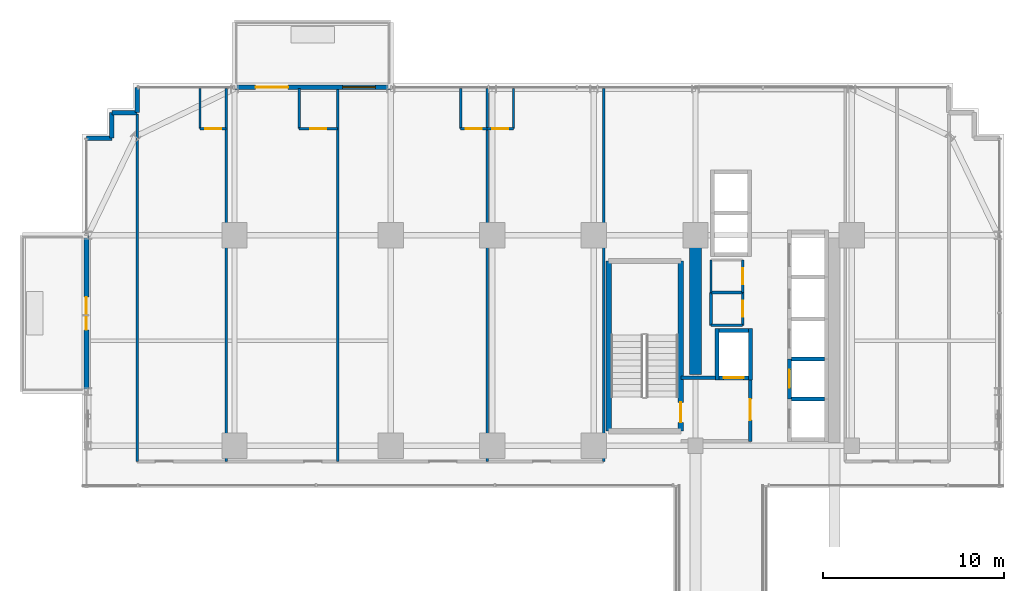
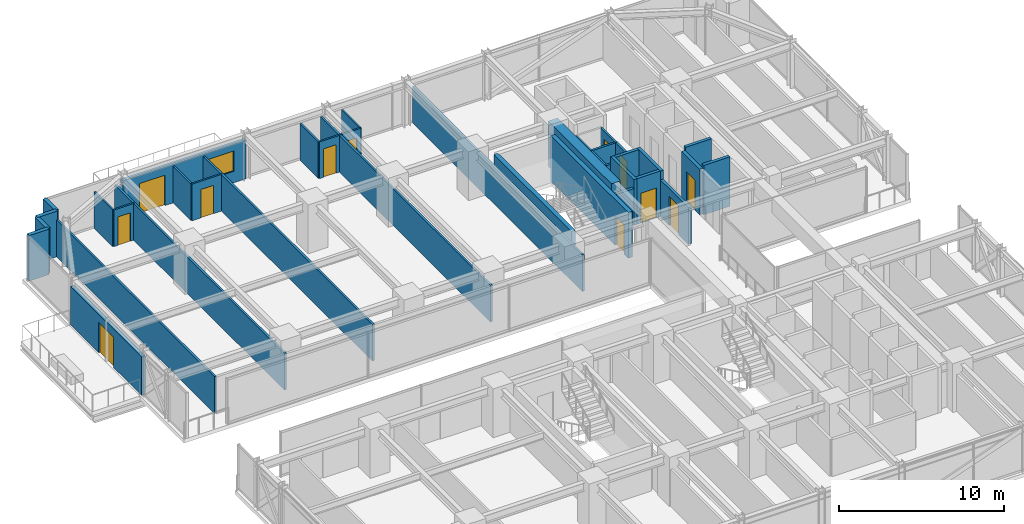
# One storey, part 37 of 42: 37 walls, 12 doors, 1 window, 13 openings.
"""IFC4 building model written with IfcOpenShell, lengths in metres."""

import ifcopenshell
import ifcopenshell.guid

model = None  # the IFC model being written
_history = None  # IfcOwnerHistory: only IFC2X3 demands one
_inside = {}  # id of a spatial element -> (the spatial element, [elements in it])
_under = {}  # id of a project, library or spatial element -> (it, [spatial elements below it])
_declared = {}  # id of a project -> (the project, [libraries it declares])
_typed = {}  # id of a type object -> (the type object, [elements of that type])
_made_of = {}  # id of a material, layer set ... -> (it, [elements and type objects made of it])


def new_model(schema):
    """Start an empty IFC model of exactly this schema.

    Asked for "IFC4X3", IfcOpenShell would pick the latest addendum, in which some entities
    have other attributes; the version numbers below select the first issue.
    IFC2X3 requires an IfcOwnerHistory on every rooted entity: one is made here for all.
    """
    global model, _history
    if schema == "IFC4X3":
        model = ifcopenshell.file(schema_version=(4, 3, 0, 0))
    else:
        model = ifcopenshell.file(schema=schema)
    _inside.clear()
    _under.clear()
    _declared.clear()
    _typed.clear()
    _made_of.clear()
    _history = None
    if model.schema == "IFC2X3":
        org = make("IfcOrganization", Name="unknown")
        user = make(
            "IfcPersonAndOrganization",
            ThePerson=make("IfcPerson", FamilyName="unknown"),
            TheOrganization=org,
        )
        app = make(
            "IfcApplication",
            ApplicationDeveloper=org,
            Version="unknown",
            ApplicationFullName="unknown",
            ApplicationIdentifier="unknown",
        )
        _history = make(
            "IfcOwnerHistory",
            OwningUser=user,
            OwningApplication=app,
            ChangeAction="ADDED",
            CreationDate=0,
        )
    return model


def make(cls, **values):
    """One entity of the class cls with the attributes given. An attribute that is None is left unset."""
    return model.create_entity(
        cls, **{name: value for name, value in values.items() if value is not None}
    )


def rooted(cls, **values):
    """An entity with a GlobalId (a new one), such as an element, a storey or a relation."""
    return make(cls, GlobalId=ifcopenshell.guid.new(), OwnerHistory=_history, **values)


def si_unit(unit_type, name, prefix=None):
    """IfcSIUnit, for example si_unit("LENGTHUNIT", "METRE", prefix="MILLI")."""
    return make("IfcSIUnit", UnitType=unit_type, Prefix=prefix, Name=name)


def assignment(units):
    """IfcUnitAssignment: the units of a project."""
    return None if units is None else make("IfcUnitAssignment", Units=units)


def point(xyz):
    """IfcCartesianPoint."""
    return None if xyz is None else make("IfcCartesianPoint", Coordinates=xyz)


def direction(xyz):
    """IfcDirection."""
    return None if xyz is None else make("IfcDirection", DirectionRatios=xyz)


def frame(location, z_axis=None, x_axis=None):
    """IfcAxis2Placement3D, a coordinate frame: its origin and axes. An axis left out is left unset."""
    return make(
        "IfcAxis2Placement3D",
        Location=point(location),
        Axis=direction(z_axis),
        RefDirection=direction(x_axis),
    )


def frame_2d(location, x_axis=None):
    """IfcAxis2Placement2D, a coordinate frame in the plane: its origin and x axis."""
    return make(
        "IfcAxis2Placement2D", Location=point(location), RefDirection=direction(x_axis)
    )


def origin():
    """The frame at (0, 0, 0) with its axes left unset."""
    return frame((0.0, 0.0, 0.0))


def place(relative_to, where):
    """IfcLocalPlacement: puts the frame where relative to a parent placement (None: the world)."""
    return make(
        "IfcLocalPlacement", PlacementRelTo=relative_to, RelativePlacement=where
    )


def context(
    kind, dimensions, precision=None, world=None, true_north=None, identifier=None
):
    """IfcGeometricRepresentationContext, for example the 3D "Model" context."""
    return make(
        "IfcGeometricRepresentationContext",
        ContextIdentifier=identifier,
        ContextType=kind,
        CoordinateSpaceDimension=dimensions,
        Precision=precision,
        WorldCoordinateSystem=world,
        TrueNorth=true_north,
    )


def subcontext(parent, identifier, kind, view, scale=None):
    """IfcGeometricRepresentationSubContext, for example "Body" below "Model"."""
    return make(
        "IfcGeometricRepresentationSubContext",
        ContextIdentifier=identifier,
        ContextType=kind,
        ParentContext=parent,
        TargetScale=scale,
        TargetView=view,
    )


def project(units=None, contexts=None):
    """IfcProject with its units and contexts."""
    return rooted(
        "IfcProject",
        Name="project",
        RepresentationContexts=contexts,
        UnitsInContext=assignment(units),
    )


def spatial(cls, under=None, at=None, **own):
    """A site, building, storey or space (cls), placed at a placement, below another one or the project."""
    s = rooted(cls, ObjectPlacement=at, **own)
    if under is not None:
        _under.setdefault(under.id(), (under, []))[1].append(s)
    return s


def profile(cls, at=None, kind="AREA", **sizes):
    """A parametric profile (cls). Its sizes go by their IFC names, for example OverallWidth=200.0."""
    return make(cls, ProfileType=kind, Position=at, **sizes)


def rectangle(**sizes):
    """IfcRectangleProfileDef."""
    return profile("IfcRectangleProfileDef", **sizes)


def extrude(swept, where, along, depth):
    """IfcExtrudedAreaSolid: the profile swept, set in the frame where, extruded along a direction by depth."""
    return make(
        "IfcExtrudedAreaSolid",
        SweptArea=swept,
        Position=where,
        ExtrudedDirection=direction(along),
        Depth=depth,
    )


def shape(context_of_items, identifier, shape_type, items):
    """IfcShapeRepresentation: the items that make up one representation, for example the "Body"."""
    return make(
        "IfcShapeRepresentation",
        ContextOfItems=context_of_items,
        RepresentationIdentifier=identifier,
        RepresentationType=shape_type,
        Items=items,
    )


def source(mapping_origin, context_of_items, identifier, shape_type, items):
    """IfcRepresentationMap: a shape defined once, which mapped items show again and again."""
    return make(
        "IfcRepresentationMap",
        MappingOrigin=mapping_origin,
        MappedRepresentation=shape(context_of_items, identifier, shape_type, items),
    )


def transform(
    local_origin,
    x_axis=None,
    y_axis=None,
    z_axis=None,
    scale=None,
    scale2=None,
    scale3=None,
    uniform=True,
):
    """IfcCartesianTransformationOperator3D, or its non-uniform kind. x_axis, y_axis, z_axis: its Axis1, 2, 3."""
    if uniform:
        return make(
            "IfcCartesianTransformationOperator3D",
            Axis1=direction(x_axis),
            Axis2=direction(y_axis),
            LocalOrigin=point(local_origin),
            Scale=scale,
            Axis3=direction(z_axis),
        )
    return make(
        "IfcCartesianTransformationOperator3DnonUniform",
        Axis1=direction(x_axis),
        Axis2=direction(y_axis),
        LocalOrigin=point(local_origin),
        Scale=scale,
        Axis3=direction(z_axis),
        Scale2=scale2,
        Scale3=scale3,
    )


def mapped(mapping_source, mapping_target):
    """IfcMappedItem: shows the shape of a source again, moved by a transform."""
    return make(
        "IfcMappedItem", MappingSource=mapping_source, MappingTarget=mapping_target
    )


def material(Name=None, Category=None):
    """IfcMaterial."""
    return make("IfcMaterial", Name=Name, Category=Category)


def layer(
    of_material, thickness, ventilated=None, Name=None, Category=None, Priority=None
):
    """IfcMaterialLayer: one layer of a wall or slab, of a material (None: an air gap)."""
    return make(
        "IfcMaterialLayer",
        Material=of_material,
        LayerThickness=thickness,
        IsVentilated=ventilated,
        Name=Name,
        Category=Category,
        Priority=Priority,
    )


def layer_set(layers, Name=None):
    """IfcMaterialLayerSet."""
    return make("IfcMaterialLayerSet", MaterialLayers=layers, LayerSetName=Name)


def made_of(thing, what):
    """Note that an element or type object is made of a material, layer set ...; save() writes the relation."""
    if what is not None:
        _made_of.setdefault(what.id(), (what, []))[1].append(thing)
    return thing


def type_object(cls, material=None, **own):
    """A type object (cls), such as IfcWallType, which elements share."""
    return made_of(rooted(cls, **own), material)


def element(
    cls,
    number,
    at=None,
    inside=None,
    cuts=None,
    type_object=None,
    material=None,
    context=None,
    identifier="Body",
    shape_type=None,
    held_by="IfcProductDefinitionShape",
    body=None,
    shapes=None,
    **own,
):
    """One element of the class cls, such as IfcWall. Its Tag is "e" and its number.

    at: its placement. inside: the storey or other place that contains it. cuts: it is an
    opening in that element (IfcRelVoidsElement). A single representation is given by context,
    identifier, shape_type and body (its items); several are given by shapes. held_by: the class
    of the entity that holds the representations. save() writes the other relations.
    """
    e = rooted(cls, Tag="e%d" % number, ObjectPlacement=at, **own)
    if body is not None:
        shapes = [shape(context, identifier, shape_type, body)]
    if shapes is not None:
        e.Representation = make(held_by, Representations=shapes)
    if inside is not None:
        _inside.setdefault(inside.id(), (inside, []))[1].append(e)
    if cuts is not None:
        rooted(
            "IfcRelVoidsElement", RelatingBuildingElement=cuts, RelatedOpeningElement=e
        )
    if type_object is not None:
        _typed.setdefault(type_object.id(), (type_object, []))[1].append(e)
    return made_of(e, material)


def fill(opening, filler):
    """IfcRelFillsElement: the door or window that sits in an opening."""
    return rooted(
        "IfcRelFillsElement",
        RelatingOpeningElement=opening,
        RelatedBuildingElement=filler,
    )


def aggregate(whole, parts):
    """IfcRelAggregates: a whole, such as a stair, and the parts it consists of."""
    return rooted("IfcRelAggregates", RelatingObject=whole, RelatedObjects=parts)


def save(model, path):
    """Write the relations noted so far, then the file.

    IfcRelAggregates (storeys below a building ...), IfcRelContainedInSpatialStructure (elements
    in a storey), IfcRelDefinesByType, IfcRelAssociatesMaterial and IfcRelDeclares: one each for
    every whole, place, type object, material and project.
    """
    for whole, parts in _under.values():
        aggregate(whole, parts)
    for where, things in _inside.values():
        rooted(
            "IfcRelContainedInSpatialStructure",
            RelatedElements=things,
            RelatingStructure=where,
        )
    for kind, things in _typed.values():
        rooted("IfcRelDefinesByType", RelatedObjects=things, RelatingType=kind)
    for what, things in _made_of.values():
        rooted("IfcRelAssociatesMaterial", RelatedObjects=things, RelatingMaterial=what)
    for by, libraries in _declared.values():
        rooted("IfcRelDeclares", RelatingContext=by, RelatedDefinitions=libraries)
    model.write(path)


model = new_model("IFC4")

# Units and contexts
model_context = context("Model", 3, precision=1e-05, world=origin(), true_north=direction((0.0, 1.0)))
body_context = subcontext(model_context, "Body", "Model", "MODEL_VIEW")
ifc_project = project(units=[si_unit("LENGTHUNIT", "METRE"), si_unit("AREAUNIT", "SQUARE_METRE"), si_unit("VOLUMEUNIT", "CUBIC_METRE"), si_unit("PLANEANGLEUNIT", "RADIAN"), si_unit("MASSUNIT", "GRAM", prefix="KILO")], contexts=[model_context])

# Site, building, storey
site_placement = place(None, origin())
site = spatial("IfcSite", under=ifc_project, at=site_placement, CompositionType="ELEMENT")
building_placement = place(site_placement, origin())
building = spatial("IfcBuilding", under=site, at=building_placement, Name="Nahalor Promenade Grand Hotel", CompositionType="ELEMENT")
storey_placement = place(building_placement, frame((0.0, 0.0, 61.60009765625)))
storey = spatial("IfcBuildingStorey", under=building, at=storey_placement, Name="L14", CompositionType="ELEMENT", Elevation=61.60009765625)

# Walls
ifc_material_1 = material(Name="Concrete B-60 (C50/60)", Category="concrete")
ifc_layer_1 = layer(ifc_material_1, 0.64990234375)
ifc_layer_set_1 = layer_set([ifc_layer_1], Name="Concrete B-60 (C50/60)")
wall_type_1 = type_object("IfcWallType", Name="Wall-CoreShear-650", PredefinedType="SHEAR", material=ifc_layer_set_1)
shared_shape_1 = source(origin(), body_context, "Body", "SweptSolid", [
    extrude(rectangle(XDim=7.64990234375, YDim=0.64990234375, at=frame_2d((3.824951171875, 0.0))), origin(), (0.0, 0.0, 1.0), 3.369873046875),
])
wall_1_placement = place(storey_placement, frame((8.39990234375, 9.35009765625, 0.0), z_axis=(0.0, 0.0, 1.0), x_axis=(0.0, 1.0, 0.0)))
element("IfcWall", 1, at=wall_1_placement, inside=storey, type_object=wall_type_1, Name="CWALL-L14-NW", PredefinedType="SHEAR", context=body_context, shape_type="MappedRepresentation", body=[
    mapped(shared_shape_1, transform((0.0, 0.0, 0.0), scale=1.0)),
])
ifc_material_2 = material(Name="Concrete B-50 (C40/50)", Category="concrete")
ifc_layer_2 = layer(ifc_material_2, 0.300048828125)
ifc_layer_set_2 = layer_set([ifc_layer_2], Name="Concrete B-50 (C40/50)")
wall_type_2 = type_object("IfcWallType", Name="Wall-ShaftShear-300", PredefinedType="SHEAR", material=ifc_layer_set_2)
shared_shape_2 = source(origin(), body_context, "Body", "SweptSolid", [
    extrude(rectangle(XDim=9.380126953125, YDim=0.300048828125, at=frame_2d((4.68994140625, 0.0))), origin(), (0.0, 0.0, 1.0), 3.369873046875),
])
wall_2_placement = place(storey_placement, frame((3.610107421875, 6.2099609375, 0.0), z_axis=(0.0, 0.0, 1.0), x_axis=(0.0, 1.0, 0.0)))
element("IfcWall", 2, at=wall_2_placement, inside=storey, type_object=wall_type_2, Name="L14 Exit Stair ST1 Shaft Wall W", PredefinedType="SHEAR", context=body_context, shape_type="MappedRepresentation", body=[
    mapped(shared_shape_2, transform((0.0, 0.0, 0.0), scale=1.0)),
])

# Wall, opening, door
wall_3_placement = place(storey_placement, frame((7.590087890625, 6.2099609375, 0.0), z_axis=(0.0, 0.0, 1.0), x_axis=(0.0, 1.0, 0.0)))
wall_3 = element("IfcWall", 3, at=wall_3_placement, inside=storey, type_object=wall_type_2, Name="L14 Exit Stair ST1 Shaft Wall E", PredefinedType="SHEAR", context=body_context, shape_type="MappedRepresentation", body=[
    mapped(shared_shape_2, transform((0.0, 0.0, 0.0), scale=1.0)),
])
opening_1_placement = place(wall_3_placement, frame((0.489990234375, 0.0, 0.0)))
opening_1 = element("IfcOpeningElement", 4, at=opening_1_placement, cuts=wall_3, Name="Opening D-ST1", PredefinedType="OPENING", context=body_context, shape_type="SweptSolid", body=[
    extrude(rectangle(XDim=1.10009765625, YDim=2.14990234375, at=frame_2d((0.550048828125, 1.074951171875))), frame((0.0, 0.159912109375, 0.0), z_axis=(0.0, -1.0, 0.0), x_axis=(1.0, 0.0, 0.0)), (0.0, 0.0, 1.0), 0.320068359375),
])
ifc_material_3 = material(Name="Steel S355JR", Category="steel")
door_type_1 = type_object("IfcDoorType", Name="Door-StairFire-1100", OperationType="NOTDEFINED", PredefinedType="DOOR", material=ifc_material_3)
shared_shape_3 = source(origin(), body_context, "Body", "SweptSolid", [
    extrude(rectangle(XDim=1.10009765625, YDim=2.14990234375, at=frame_2d((0.550048828125, 1.074951171875))), frame((0.0, 0.02490234375, 0.0), z_axis=(0.0, -1.0, 0.0), x_axis=(1.0, 0.0, 0.0)), (0.0, 0.0, 1.0), 0.050048828125),
])
door_1_placement = place(opening_1_placement, origin())
door_1 = element("IfcDoor", 5, at=door_1_placement, inside=storey, type_object=door_type_1, Name="DR-STAIR-ST1-L14", OperationType="SINGLE_SWING_LEFT", OverallHeight=2.14990234375, OverallWidth=1.10009765625, PredefinedType="DOOR", context=body_context, shape_type="MappedRepresentation", body=[
    mapped(shared_shape_3, transform((0.0, 0.0, 0.0), scale=1.0)),
])
fill(opening_1, door_1)

# Walls
ifc_layer_3 = layer(ifc_material_2, 0.219970703125)
ifc_layer_set_3 = layer_set([ifc_layer_3], Name="Concrete B-50 (C40/50)")
wall_type_3 = type_object("IfcWallType", Name="Wall-LiftShaft-220", PredefinedType="SHEAR", material=ifc_layer_set_3)
shared_shape_4 = source(origin(), body_context, "Body", "SweptSolid", [
    extrude(rectangle(XDim=1.820068359375, YDim=0.219970703125, at=frame_2d((0.91015625, 0.0))), origin(), (0.0, 0.0, 1.0), 3.64990234375),
])
for number, where, z_axis, x_axis, name in (
    (6, (13.68994140625, 8.0, 0.0), (0.0, 0.0, 1.0), (1.0, 0.0, 0.0), "L14 Lift PL1 Hoistway Wall N"),
    (7, (13.68994140625, 10.199951171875, 0.0), (0.0, 0.0, 1.0), (1.0, 0.0, 0.0), "L14 Lift PL2 Hoistway Wall N"),
):
    element("IfcWall", number, at=place(storey_placement, frame(where, z_axis=z_axis, x_axis=x_axis)), inside=storey, type_object=wall_type_3, Name=name, PredefinedType="SHEAR", context=body_context, shape_type="MappedRepresentation", body=[
        mapped(shared_shape_4, transform((0.0, 0.0, 0.0), scale=1.0)),
    ])

# Wall, opening, door
shared_shape_5 = source(origin(), body_context, "Body", "SweptSolid", [
    extrude(rectangle(XDim=2.199951171875, YDim=0.219970703125, at=frame_2d((1.10009765625, 0.0))), origin(), (0.0, 0.0, 1.0), 3.369873046875),
])
wall_4_placement = place(storey_placement, frame((13.580078125, 8.0, 0.0), z_axis=(0.0, 0.0, 1.0), x_axis=(0.0, 1.0, 0.0)))
wall_4 = element("IfcWall", 8, at=wall_4_placement, inside=storey, type_object=wall_type_3, Name="L14 Lift PL2 Hoistway Wall W", PredefinedType="SHEAR", context=body_context, shape_type="MappedRepresentation", body=[
    mapped(shared_shape_5, transform((0.0, 0.0, 0.0), scale=1.0)),
])
opening_2_placement = place(wall_4_placement, frame((0.60009765625, 0.0, 0.0)))
opening_2 = element("IfcOpeningElement", 9, at=opening_2_placement, cuts=wall_4, Name="Opening LD-01", PredefinedType="OPENING", context=body_context, shape_type="SweptSolid", body=[
    extrude(rectangle(XDim=1.0, YDim=2.199951171875, at=frame_2d((0.5, 1.10009765625))), frame((0.0, 0.119873046875, 0.0), z_axis=(0.0, -1.0, 0.0), x_axis=(1.0, 0.0, 0.0)), (0.0, 0.0, 1.0), 0.239990234375),
])
door_type_2 = type_object("IfcDoorType", Name="Door-LiftLanding-1000", OperationType="DOUBLE_DOOR_SLIDING", PredefinedType="DOOR", material=ifc_material_3)
shared_shape_6 = source(origin(), body_context, "Body", "SweptSolid", [
    extrude(rectangle(XDim=1.0, YDim=2.199951171875, at=frame_2d((0.5, 1.10009765625))), frame((0.0, 0.02490234375, 0.0), z_axis=(0.0, -1.0, 0.0), x_axis=(1.0, 0.0, 0.0)), (0.0, 0.0, 1.0), 0.050048828125),
])
door_2_placement = place(opening_2_placement, origin())
door_2 = element("IfcDoor", 10, at=door_2_placement, inside=storey, type_object=door_type_2, Name="DR-LIFT-PL2-L14", OperationType="DOUBLE_DOOR_SLIDING", OverallHeight=2.199951171875, OverallWidth=1.0, PredefinedType="DOOR", context=body_context, shape_type="MappedRepresentation", body=[
    mapped(shared_shape_6, transform((0.0, 0.0, 0.0), scale=1.0)),
])
fill(opening_2, door_2)

# Walls
shared_shape_7 = source(origin(), body_context, "Body", "SweptSolid", [
    extrude(rectangle(XDim=2.820068359375, YDim=0.219970703125, at=frame_2d((1.41015625, 0.0))), origin(), (0.0, 0.0, 1.0), 3.369873046875),
])
for number, where, z_axis, x_axis, name in (
    (11, (9.580078125, 9.0400390625, 0.0), (0.0, 0.0, 1.0), (0.0, 1.0, 0.0), "L14 Lift FL1 Hoistway Wall W"),
    (12, (11.419921875, 9.0400390625, 0.0), (0.0, 0.0, 1.0), (0.0, 1.0, 0.0), "L14 Lift FL1 Hoistway Wall E"),
):
    element("IfcWall", number, at=place(storey_placement, frame(where, z_axis=z_axis, x_axis=x_axis)), inside=storey, type_object=wall_type_3, Name=name, PredefinedType="SHEAR", context=body_context, shape_type="MappedRepresentation", body=[
        mapped(shared_shape_7, transform((0.0, 0.0, 0.0), scale=1.0)),
    ])

# Wall, opening, door
shared_shape_8 = source(origin(), body_context, "Body", "SweptSolid", [
    extrude(rectangle(XDim=1.6201171875, YDim=0.219970703125, at=frame_2d((0.81005859375, 0.0))), origin(), (0.0, 0.0, 1.0), 3.369873046875),
])
wall_5_placement = place(storey_placement, frame((9.68994140625, 9.14990234375, 0.0), z_axis=(0.0, 0.0, 1.0), x_axis=(1.0, 0.0, 0.0)))
wall_5 = element("IfcWall", 13, at=wall_5_placement, inside=storey, type_object=wall_type_3, Name="L14 Lift FL1 Hoistway Wall S", PredefinedType="SHEAR", context=body_context, shape_type="MappedRepresentation", body=[
    mapped(shared_shape_8, transform((0.0, 0.0, 0.0), scale=1.0)),
])
opening_3_placement = place(wall_5_placement, frame((0.260009765625, 0.0, 0.0)))
opening_3 = element("IfcOpeningElement", 14, at=opening_3_placement, cuts=wall_5, Name="Opening LD-02", PredefinedType="OPENING", context=body_context, shape_type="SweptSolid", body=[
    extrude(rectangle(XDim=1.10009765625, YDim=2.199951171875, at=frame_2d((0.550048828125, 1.10009765625))), frame((0.0, 0.119873046875, 0.0), z_axis=(0.0, -1.0, 0.0), x_axis=(1.0, 0.0, 0.0)), (0.0, 0.0, 1.0), 0.239990234375),
])
door_type_3 = type_object("IfcDoorType", Name="Door-LiftFF-1100", OperationType="DOUBLE_DOOR_SLIDING", PredefinedType="DOOR", material=ifc_material_3)
shared_shape_9 = source(origin(), body_context, "Body", "SweptSolid", [
    extrude(rectangle(XDim=1.10009765625, YDim=2.199951171875, at=frame_2d((0.550048828125, 1.10009765625))), frame((0.0, 0.02490234375, 0.0), z_axis=(0.0, -1.0, 0.0), x_axis=(1.0, 0.0, 0.0)), (0.0, 0.0, 1.0), 0.050048828125),
])
door_3_placement = place(opening_3_placement, frame((1.10009765625, 0.0, 0.0), z_axis=(0.0, 0.0, 1.0), x_axis=(-1.0, 0.0, 0.0)))
door_3 = element("IfcDoor", 15, at=door_3_placement, inside=storey, type_object=door_type_3, Name="DR-LIFT-FL1-L14", OperationType="DOUBLE_DOOR_SLIDING", OverallHeight=2.199951171875, OverallWidth=1.10009765625, PredefinedType="DOOR", context=body_context, shape_type="MappedRepresentation", body=[
    mapped(shared_shape_9, transform((0.0, 0.0, 0.0), scale=1.0)),
])
fill(opening_3, door_3)

# Walls
wall_6_placement = place(storey_placement, frame((9.68994140625, 11.75, 0.0), z_axis=(0.0, 0.0, 1.0), x_axis=(1.0, 0.0, 0.0)))
element("IfcWall", 16, at=wall_6_placement, inside=storey, type_object=wall_type_3, Name="L14 Lift FL1 Hoistway Wall N", PredefinedType="SHEAR", context=body_context, shape_type="MappedRepresentation", body=[
    mapped(shared_shape_8, transform((0.0, 0.0, 0.0), scale=1.0)),
])
ifc_material_4 = material(Name="Concrete B-40 (C32/40)", Category="concrete")
ifc_layer_4 = layer(ifc_material_4, 0.25)
ifc_layer_set_4 = layer_set([ifc_layer_4], Name="Concrete B-40 (C32/40)")
wall_type_4 = type_object("IfcWallType", Name="Wall-BronzePier-250", PredefinedType="STANDARD", material=ifc_layer_set_4)
shared_shape_10 = source(origin(), body_context, "Body", "SweptSolid", [
    extrude(rectangle(XDim=1.39990234375, YDim=0.25, at=frame_2d((0.699951171875, 0.0))), origin(), (0.0, 0.0, 1.0), 3.369873046875),
])
for number, where, z_axis, x_axis, name in (
    (17, (-22.360107421875, 23.760009765625, 0.0), (0.0, 0.0, 1.0), (0.0, 1.0, 0.0), "W-L14-SR-09"),
    (18, (-23.760009765625, 23.760009765625, 0.0), (0.0, 0.0, 1.0), (1.0, 0.0, 0.0), "W-L14-SR-10"),
    (19, (-23.760009765625, 22.360107421875, 0.0), (0.0, 0.0, 1.0), (0.0, 1.0, 0.0), "W-L14-SR-11"),
    (20, (-25.159912109375, 22.360107421875, 0.0), (0.0, 0.0, 1.0), (1.0, 0.0, 0.0), "W-L14-SR-12"),
):
    element("IfcWall", number, at=place(storey_placement, frame(where, z_axis=z_axis, x_axis=x_axis)), inside=storey, type_object=wall_type_4, Name=name, PredefinedType="STANDARD", context=body_context, shape_type="MappedRepresentation", body=[
        mapped(shared_shape_10, transform((0.0, 0.0, 0.0), scale=1.0)),
    ])

# Wall, openings, door, window
ifc_layer_5 = layer(ifc_material_4, 0.260009765625)
ifc_layer_set_5 = layer_set([ifc_layer_5], Name="Concrete B-40 (C32/40)")
wall_type_5 = type_object("IfcWallType", Name="Wall-BalconyWall-260", PredefinedType="STANDARD", material=ifc_layer_set_5)
shared_shape_11 = source(origin(), body_context, "Body", "SweptSolid", [
    extrude(rectangle(XDim=8.60009765625, YDim=0.260009765625, at=frame_2d((4.300048828125, 0.0))), origin(), (0.0, 0.0, 1.0), 2.849853515625),
])
wall_7_placement = place(storey_placement, frame((-17.0, 25.159912109375, 0.0), z_axis=(0.0, 0.0, 1.0), x_axis=(1.0, 0.0, 0.0)))
wall_7 = element("IfcWall", 21, at=wall_7_placement, inside=storey, type_object=wall_type_5, Name="W-L14-BALC-N-2", PredefinedType="STANDARD", context=body_context, shape_type="MappedRepresentation", body=[
    mapped(shared_shape_11, transform((0.0, 0.0, 0.0), scale=1.0)),
])
opening_4_placement = place(wall_7_placement, frame((1.157958984375, 0.0, 0.0)))
opening_4 = element("IfcOpeningElement", 22, at=opening_4_placement, cuts=wall_7, Name="Opening D-BC1", PredefinedType="OPENING", context=body_context, shape_type="SweptSolid", body=[
    extrude(rectangle(XDim=1.800048828125, YDim=2.25, at=frame_2d((0.89990234375, 1.125))), frame((0.0, 0.139892578125, 0.0), z_axis=(0.0, -1.0, 0.0), x_axis=(1.0, 0.0, 0.0)), (0.0, 0.0, 1.0), 0.280029296875),
])
opening_5_placement = place(wall_7_placement, frame((5.962890625, 0.0, 0.85009765625)))
opening_5 = element("IfcOpeningElement", 23, at=opening_5_placement, cuts=wall_7, Name="Opening WN-01", PredefinedType="OPENING", context=body_context, shape_type="SweptSolid", body=[
    extrude(rectangle(XDim=1.800048828125, YDim=1.5, at=frame_2d((0.89990234375, 0.75))), frame((0.0, 0.139892578125, 0.0), z_axis=(0.0, -1.0, 0.0), x_axis=(1.0, 0.0, 0.0)), (0.0, 0.0, 1.0), 0.280029296875),
])
ifc_material_5 = material(Name="Anodised Bronze Aluminium EN AW-6063 T6", Category="aluminium")
door_type_4 = type_object("IfcDoorType", Name="Door-BalconySlide-1800", OperationType="DOUBLE_DOOR_SLIDING", PredefinedType="DOOR", material=ifc_material_5)
shared_shape_12 = source(origin(), body_context, "Body", "SweptSolid", [
    extrude(rectangle(XDim=1.800048828125, YDim=2.25, at=frame_2d((0.89990234375, 1.125))), frame((0.0, 0.02490234375, 0.0), z_axis=(0.0, -1.0, 0.0), x_axis=(1.0, 0.0, 0.0)), (0.0, 0.0, 1.0), 0.050048828125),
])
door_4_placement = place(opening_4_placement, origin())
door_4 = element("IfcDoor", 24, at=door_4_placement, inside=storey, type_object=door_type_4, Name="DR-L14-BALC-N-2", OperationType="DOUBLE_DOOR_SLIDING", OverallHeight=2.25, OverallWidth=1.800048828125, PredefinedType="DOOR", context=body_context, shape_type="MappedRepresentation", body=[
    mapped(shared_shape_12, transform((0.0, 0.0, 0.0), scale=1.0)),
])
fill(opening_4, door_4)
ifc_material_6 = material(Name="Low-E Laminated Solar Glass", Category="glass")
window_type = type_object("IfcWindowType", Name="Win-ChicagoBay-1800x1500", PartitioningType="SINGLE_PANEL", PredefinedType="WINDOW", material=ifc_material_6)
shared_shape_13 = source(origin(), body_context, "Body", "SweptSolid", [
    extrude(rectangle(XDim=1.800048828125, YDim=1.5, at=frame_2d((0.89990234375, 0.75))), frame((0.0, 0.030029296875, 0.0), z_axis=(0.0, -1.0, 0.0), x_axis=(1.0, 0.0, 0.0)), (0.0, 0.0, 1.0), 0.06005859375),
])
window_placement = place(opening_5_placement, origin())
window = element("IfcWindow", 25, at=window_placement, inside=storey, type_object=window_type, Name="WN-L14-BALC-N-2-1", OverallHeight=1.5, OverallWidth=1.800048828125, PartitioningType="SINGLE_PANEL", PredefinedType="WINDOW", context=body_context, shape_type="MappedRepresentation", body=[
    mapped(shared_shape_13, transform((0.0, 0.0, 0.0), scale=1.0)),
])
fill(opening_5, window)

# Wall, opening, door
wall_8_placement = place(storey_placement, frame((-25.159912109375, 8.39990234375, 0.0), z_axis=(0.0, 0.0, 1.0), x_axis=(0.0, 1.0, 0.0)))
wall_8 = element("IfcWall", 26, at=wall_8_placement, inside=storey, type_object=wall_type_5, Name="W-L14-BALC-W-3", PredefinedType="STANDARD", context=body_context, shape_type="MappedRepresentation", body=[
    mapped(shared_shape_11, transform((0.0, 0.0, 0.0), scale=1.0)),
])
opening_6_placement = place(wall_8_placement, frame((3.39990234375, 0.0, 0.0)))
opening_6 = element("IfcOpeningElement", 27, at=opening_6_placement, cuts=wall_8, Name="Opening D-BC1", PredefinedType="OPENING", context=body_context, shape_type="SweptSolid", body=[
    extrude(rectangle(XDim=1.800048828125, YDim=2.25, at=frame_2d((0.89990234375, 1.125))), frame((0.0, 0.139892578125, 0.0), z_axis=(0.0, -1.0, 0.0), x_axis=(1.0, 0.0, 0.0)), (0.0, 0.0, 1.0), 0.280029296875),
])
door_5_placement = place(opening_6_placement, origin())
door_5 = element("IfcDoor", 28, at=door_5_placement, inside=storey, type_object=door_type_4, Name="DR-L14-BALC-W-3", OperationType="DOUBLE_DOOR_SLIDING", OverallHeight=2.25, OverallWidth=1.800048828125, PredefinedType="DOOR", context=body_context, shape_type="MappedRepresentation", body=[
    mapped(shared_shape_12, transform((0.0, 0.0, 0.0), scale=1.0)),
])
fill(opening_6, door_5)

# Wall
ifc_layer_6 = layer(ifc_material_4, 0.199951171875)
ifc_layer_set_6 = layer_set([ifc_layer_6], Name="Concrete B-40 (C32/40)")
wall_type_6 = type_object("IfcWallType", Name="Wall-PartFire-200", PredefinedType="PARTITIONING", material=ifc_layer_set_6)
shared_shape_14 = source(origin(), body_context, "Body", "SweptSolid", [
    extrude(rectangle(XDim=1.89990234375, YDim=0.199951171875, at=frame_2d((0.949951171875, 0.0))), origin(), (0.0, 0.0, 1.0), 2.7099609375),
])
wall_9_placement = place(storey_placement, frame((7.60009765625, 9.14990234375, 0.0), z_axis=(0.0, 0.0, 1.0), x_axis=(1.0, 0.0, 0.0)))
element("IfcWall", 29, at=wall_9_placement, inside=storey, type_object=wall_type_6, Name="W-L14-FF1-N", PredefinedType="PARTITIONING", context=body_context, shape_type="MappedRepresentation", body=[
    mapped(shared_shape_14, transform((0.0, 0.0, 0.0), scale=1.0)),
])

# Wall, opening, door
shared_shape_15 = source(origin(), body_context, "Body", "SweptSolid", [
    extrude(rectangle(XDim=3.5, YDim=0.199951171875, at=frame_2d((1.75, 0.0))), origin(), (0.0, 0.0, 1.0), 2.7099609375),
])
wall_10_placement = place(storey_placement, frame((11.419921875, 5.64990234375, 0.0), z_axis=(0.0, 0.0, 1.0), x_axis=(0.0, 1.0, 0.0)))
wall_10 = element("IfcWall", 30, at=wall_10_placement, inside=storey, type_object=wall_type_6, Name="W-L14-FF1-E", PredefinedType="PARTITIONING", context=body_context, shape_type="MappedRepresentation", body=[
    mapped(shared_shape_15, transform((0.0, 0.0, 0.0), scale=1.0)),
])
opening_7_placement = place(wall_10_placement, frame((1.175048828125, 0.0, 0.0)))
opening_7 = element("IfcOpeningElement", 31, at=opening_7_placement, cuts=wall_10, Name="Opening D-FF1", PredefinedType="OPENING", context=body_context, shape_type="SweptSolid", body=[
    extrude(rectangle(XDim=1.14990234375, YDim=2.14990234375, at=frame_2d((0.574951171875, 1.074951171875))), frame((0.0, 0.10986328125, 0.0), z_axis=(0.0, -1.0, 0.0), x_axis=(1.0, 0.0, 0.0)), (0.0, 0.0, 1.0), 0.219970703125),
])
door_type_5 = type_object("IfcDoorType", Name="Door-FFLobby-1150", OperationType="NOTDEFINED", PredefinedType="DOOR", material=ifc_material_3)
shared_shape_16 = source(origin(), body_context, "Body", "SweptSolid", [
    extrude(rectangle(XDim=1.14990234375, YDim=2.14990234375, at=frame_2d((0.574951171875, 1.074951171875))), frame((0.0, 0.02490234375, 0.0), z_axis=(0.0, -1.0, 0.0), x_axis=(1.0, 0.0, 0.0)), (0.0, 0.0, 1.0), 0.050048828125),
])
door_6_placement = place(opening_7_placement, frame((1.14990234375, 0.0, 0.0), z_axis=(0.0, 0.0, 1.0), x_axis=(-1.0, 0.0, 0.0)))
door_6 = element("IfcDoor", 32, at=door_6_placement, inside=storey, type_object=door_type_5, Name="DR-L14-FFL1", OperationType="SINGLE_SWING_RIGHT", OverallHeight=2.14990234375, OverallWidth=1.14990234375, PredefinedType="DOOR", context=body_context, shape_type="MappedRepresentation", body=[
    mapped(shared_shape_16, transform((0.0, 0.0, 0.0), scale=1.0)),
])
fill(opening_7, door_6)

# Walls
ifc_material_7 = material(Name="Acoustic Mineral Gypsum", Category="gypsum")
ifc_layer_7 = layer(ifc_material_7, 0.14990234375)
ifc_layer_set_7 = layer_set([ifc_layer_7], Name="Acoustic Mineral Gypsum")
wall_type_7 = type_object("IfcWallType", Name="Wall-PartService-150", PredefinedType="PARTITIONING", material=ifc_layer_set_7)
shared_shape_17 = source(origin(), body_context, "Body", "SweptSolid", [
    extrude(rectangle(XDim=1.75, YDim=0.14990234375, at=frame_2d((0.875, 0.0))), origin(), (0.0, 0.0, 1.0), 2.7099609375),
])
for number, where, z_axis, x_axis, name in (
    (33, (9.25, 12.050048828125, 0.0), (0.0, 0.0, 1.0), (1.0, 0.0, 0.0), "W-L14-CK2A-S"),
    (34, (9.25, 13.85009765625, 0.0), (0.0, 0.0, 1.0), (1.0, 0.0, 0.0), "W-L14-CK2A-N"),
):
    element("IfcWall", number, at=place(storey_placement, frame(where, z_axis=z_axis, x_axis=x_axis)), inside=storey, type_object=wall_type_7, Name=name, PredefinedType="PARTITIONING", context=body_context, shape_type="MappedRepresentation", body=[
        mapped(shared_shape_17, transform((0.0, 0.0, 0.0), scale=1.0)),
    ])
ifc_layer_8 = layer(ifc_material_7, 0.139892578125)
ifc_layer_set_8 = layer_set([ifc_layer_8], Name="Acoustic Mineral Gypsum")
wall_type_8 = type_object("IfcWallType", Name="Wall-PartSuite-140", PredefinedType="PARTITIONING", material=ifc_layer_set_8)
shared_shape_18 = source(origin(), body_context, "Body", "SweptSolid", [
    extrude(rectangle(XDim=19.1298828125, YDim=0.139892578125, at=frame_2d((9.56494140625, 0.0))), origin(), (0.0, 0.0, 1.0), 2.7099609375),
])
wall_11_placement = place(storey_placement, frame((-22.360107421875, 4.550048828125, 0.0), z_axis=(0.0, 0.0, 1.0), x_axis=(0.0, 1.0, 0.0)))
element("IfcWall", 35, at=wall_11_placement, inside=storey, type_object=wall_type_8, Name="W-L14-NW-ENDW", PredefinedType="PARTITIONING", context=body_context, shape_type="MappedRepresentation", body=[
    mapped(shared_shape_18, transform((0.0, 0.0, 0.0), scale=1.0)),
])
shared_shape_19 = source(origin(), body_context, "Body", "SweptSolid", [
    extrude(rectangle(XDim=20.550048828125, YDim=0.139892578125, at=frame_2d((10.27490234375, 0.0))), origin(), (0.0, 0.0, 1.0), 2.7099609375),
])
for number, where, z_axis, x_axis, name in (
    (36, (3.340087890625, 4.550048828125, 0.0), (0.0, 0.0, 1.0), (0.0, 1.0, 0.0), "W-L14-NW-ENDE"),
    (37, (-17.4560546875, 4.550048828125, 0.0), (0.0, 0.0, 1.0), (0.0, 1.0, 0.0), "W-L14-NP-1"),
    (38, (-11.323974609375, 4.550048828125, 0.0), (0.0, 0.0, 1.0), (0.0, 1.0, 0.0), "W-L14-NP-2"),
    (39, (-3.0849609375, 4.550048828125, 0.0), (0.0, 0.0, 1.0), (0.0, 1.0, 0.0), "W-L14-NP-3"),
):
    element("IfcWall", number, at=place(storey_placement, frame(where, z_axis=z_axis, x_axis=x_axis)), inside=storey, type_object=wall_type_8, Name=name, PredefinedType="PARTITIONING", context=body_context, shape_type="MappedRepresentation", body=[
        mapped(shared_shape_19, transform((0.0, 0.0, 0.0), scale=1.0)),
    ])
ifc_layer_9 = layer(ifc_material_7, 0.1201171875)
ifc_layer_set_9 = layer_set([ifc_layer_9], Name="Acoustic Mineral Gypsum")
wall_type_9 = type_object("IfcWallType", Name="Wall-PartBath-120", PredefinedType="PARTITIONING", material=ifc_layer_set_9)
shared_shape_20 = source(origin(), body_context, "Body", "SweptSolid", [
    extrude(rectangle(XDim=2.22021484375, YDim=0.1201171875, at=frame_2d((1.110107421875, 0.0))), origin(), (0.0, 0.0, 1.0), 2.7099609375),
])
for number, where, z_axis, x_axis, name in (
    (40, (-18.906005859375, 22.8798828125, 0.0), (0.0, 0.0, 1.0), (0.0, 1.0, 0.0), "W-L14-N1-BV"),
    (41, (-13.43408203125, 22.8798828125, 0.0), (0.0, 0.0, 1.0), (0.0, 1.0, 0.0), "W-L14-N2-BV"),
    (42, (-4.534912109375, 22.8798828125, 0.0), (0.0, 0.0, 1.0), (0.0, 1.0, 0.0), "W-L14-N3-BV"),
    (43, (-1.635009765625, 22.8798828125, 0.0), (0.0, 0.0, 1.0), (0.0, 1.0, 0.0), "W-L14-N4-BV"),
):
    element("IfcWall", number, at=place(storey_placement, frame(where, z_axis=z_axis, x_axis=x_axis)), inside=storey, type_object=wall_type_9, Name=name, PredefinedType="PARTITIONING", context=body_context, shape_type="MappedRepresentation", body=[
        mapped(shared_shape_20, transform((0.0, 0.0, 0.0), scale=1.0)),
    ])

# Wall, opening, door
shared_shape_21 = source(origin(), body_context, "Body", "SweptSolid", [
    extrude(rectangle(XDim=1.449951171875, YDim=0.1201171875, at=frame_2d((0.72509765625, 0.0))), origin(), (0.0, 0.0, 1.0), 2.7099609375),
])
wall_12_placement = place(storey_placement, frame((-18.906005859375, 22.8798828125, 0.0), z_axis=(0.0, 0.0, 1.0), x_axis=(1.0, 0.0, 0.0)))
wall_12 = element("IfcWall", 44, at=wall_12_placement, inside=storey, type_object=wall_type_9, Name="W-L14-N1-BH", PredefinedType="PARTITIONING", context=body_context, shape_type="MappedRepresentation", body=[
    mapped(shared_shape_21, transform((0.0, 0.0, 0.0), scale=1.0)),
])
opening_8_placement = place(wall_12_placement, frame((0.284912109375, 0.0, 0.0)))
opening_8 = element("IfcOpeningElement", 45, at=opening_8_placement, cuts=wall_12, Name="Opening D-03", PredefinedType="OPENING", context=body_context, shape_type="SweptSolid", body=[
    extrude(rectangle(XDim=0.8798828125, YDim=2.10009765625, at=frame_2d((0.43994140625, 1.050048828125))), frame((0.0, 0.070068359375, 0.0), z_axis=(0.0, -1.0, 0.0), x_axis=(1.0, 0.0, 0.0)), (0.0, 0.0, 1.0), 0.14013671875),
])
ifc_material_8 = material(Name="Fire-Rated Timber Composite", Category="wood")
door_type_6 = type_object("IfcDoorType", Name="Door-BathSwing-880", OperationType="NOTDEFINED", PredefinedType="DOOR", material=ifc_material_8)
shared_shape_22 = source(origin(), body_context, "Body", "SweptSolid", [
    extrude(rectangle(XDim=0.8798828125, YDim=2.10009765625, at=frame_2d((0.43994140625, 1.050048828125))), frame((0.0, 0.02490234375, 0.0), z_axis=(0.0, -1.0, 0.0), x_axis=(1.0, 0.0, 0.0)), (0.0, 0.0, 1.0), 0.050048828125),
])
door_7_placement = place(opening_8_placement, origin())
door_7 = element("IfcDoor", 46, at=door_7_placement, inside=storey, type_object=door_type_6, Name="DR-L14-N1-BATH", OperationType="SINGLE_SWING_RIGHT", OverallHeight=2.10009765625, OverallWidth=0.8798828125, PredefinedType="DOOR", context=body_context, shape_type="MappedRepresentation", body=[
    mapped(shared_shape_22, transform((0.0, 0.0, 0.0), scale=1.0)),
])
fill(opening_8, door_7)

wall_13_placement = place(storey_placement, frame((-4.534912109375, 22.8798828125, 0.0), z_axis=(0.0, 0.0, 1.0), x_axis=(1.0, 0.0, 0.0)))
wall_13 = element("IfcWall", 47, at=wall_13_placement, inside=storey, type_object=wall_type_9, Name="W-L14-N3-BH", PredefinedType="PARTITIONING", context=body_context, shape_type="MappedRepresentation", body=[
    mapped(shared_shape_21, transform((0.0, 0.0, 0.0), scale=1.0)),
])
opening_9_placement = place(wall_13_placement, frame((0.284912109375, 0.0, 0.0)))
opening_9 = element("IfcOpeningElement", 48, at=opening_9_placement, cuts=wall_13, Name="Opening D-03", PredefinedType="OPENING", context=body_context, shape_type="SweptSolid", body=[
    extrude(rectangle(XDim=0.8798828125, YDim=2.10009765625, at=frame_2d((0.43994140625, 1.050048828125))), frame((0.0, 0.070068359375, 0.0), z_axis=(0.0, -1.0, 0.0), x_axis=(1.0, 0.0, 0.0)), (0.0, 0.0, 1.0), 0.14013671875),
])
door_8_placement = place(opening_9_placement, origin())
door_8 = element("IfcDoor", 49, at=door_8_placement, inside=storey, type_object=door_type_6, Name="DR-L14-N3-BATH", OperationType="SINGLE_SWING_RIGHT", OverallHeight=2.10009765625, OverallWidth=0.8798828125, PredefinedType="DOOR", context=body_context, shape_type="MappedRepresentation", body=[
    mapped(shared_shape_22, transform((0.0, 0.0, 0.0), scale=1.0)),
])
fill(opening_9, door_8)

wall_14_placement = place(storey_placement, frame((-3.0849609375, 22.8798828125, 0.0), z_axis=(0.0, 0.0, 1.0), x_axis=(1.0, 0.0, 0.0)))
wall_14 = element("IfcWall", 50, at=wall_14_placement, inside=storey, type_object=wall_type_9, Name="W-L14-N4-BH", PredefinedType="PARTITIONING", context=body_context, shape_type="MappedRepresentation", body=[
    mapped(shared_shape_21, transform((0.0, 0.0, 0.0), scale=1.0)),
])
opening_10_placement = place(wall_14_placement, frame((0.284912109375, 0.0, 0.0)))
opening_10 = element("IfcOpeningElement", 51, at=opening_10_placement, cuts=wall_14, Name="Opening D-03", PredefinedType="OPENING", context=body_context, shape_type="SweptSolid", body=[
    extrude(rectangle(XDim=0.8798828125, YDim=2.10009765625, at=frame_2d((0.43994140625, 1.050048828125))), frame((0.0, 0.070068359375, 0.0), z_axis=(0.0, -1.0, 0.0), x_axis=(1.0, 0.0, 0.0)), (0.0, 0.0, 1.0), 0.14013671875),
])
door_9_placement = place(opening_10_placement, origin())
door_9 = element("IfcDoor", 52, at=door_9_placement, inside=storey, type_object=door_type_6, Name="DR-L14-N4-BATH", OperationType="SINGLE_SWING_LEFT", OverallHeight=2.10009765625, OverallWidth=0.8798828125, PredefinedType="DOOR", context=body_context, shape_type="MappedRepresentation", body=[
    mapped(shared_shape_22, transform((0.0, 0.0, 0.0), scale=1.0)),
])
fill(opening_10, door_9)

shared_shape_23 = source(origin(), body_context, "Body", "SweptSolid", [
    extrude(rectangle(XDim=2.110107421875, YDim=0.1201171875, at=frame_2d((1.05517578125, 0.0))), origin(), (0.0, 0.0, 1.0), 2.7099609375),
])
wall_15_placement = place(storey_placement, frame((-13.43408203125, 22.8798828125, 0.0), z_axis=(0.0, 0.0, 1.0), x_axis=(1.0, 0.0, 0.0)))
wall_15 = element("IfcWall", 53, at=wall_15_placement, inside=storey, type_object=wall_type_9, Name="W-L14-N2-BH", PredefinedType="PARTITIONING", context=body_context, shape_type="MappedRepresentation", body=[
    mapped(shared_shape_23, transform((0.0, 0.0, 0.0), scale=1.0)),
])
opening_11_placement = place(wall_15_placement, frame((0.614990234375, 0.0, 0.0)))
opening_11 = element("IfcOpeningElement", 54, at=opening_11_placement, cuts=wall_15, Name="Opening D-03", PredefinedType="OPENING", context=body_context, shape_type="SweptSolid", body=[
    extrude(rectangle(XDim=0.8798828125, YDim=2.10009765625, at=frame_2d((0.43994140625, 1.050048828125))), frame((0.0, 0.070068359375, 0.0), z_axis=(0.0, -1.0, 0.0), x_axis=(1.0, 0.0, 0.0)), (0.0, 0.0, 1.0), 0.14013671875),
])
door_10_placement = place(opening_11_placement, origin())
door_10 = element("IfcDoor", 55, at=door_10_placement, inside=storey, type_object=door_type_6, Name="DR-L14-N2-BATH", OperationType="SINGLE_SWING_RIGHT", OverallHeight=2.10009765625, OverallWidth=0.8798828125, PredefinedType="DOOR", context=body_context, shape_type="MappedRepresentation", body=[
    mapped(shared_shape_22, transform((0.0, 0.0, 0.0), scale=1.0)),
])
fill(opening_11, door_10)

# Wall
shared_shape_24 = source(origin(), body_context, "Body", "SweptSolid", [
    extrude(rectangle(XDim=1.800048828125, YDim=0.14990234375, at=frame_2d((0.89990234375, 0.0))), origin(), (0.0, 0.0, 1.0), 2.7099609375),
])
wall_16_placement = place(storey_placement, frame((9.25, 12.050048828125, 0.0), z_axis=(0.0, 0.0, 1.0), x_axis=(0.0, 1.0, 0.0)))
element("IfcWall", 56, at=wall_16_placement, inside=storey, type_object=wall_type_7, Name="W-L14-CK2A-W", PredefinedType="PARTITIONING", context=body_context, shape_type="MappedRepresentation", body=[
    mapped(shared_shape_24, transform((0.0, 0.0, 0.0), scale=1.0)),
])

# Wall, opening, door
wall_17_placement = place(storey_placement, frame((11.0, 12.050048828125, 0.0), z_axis=(0.0, 0.0, 1.0), x_axis=(0.0, 1.0, 0.0)))
wall_17 = element("IfcWall", 57, at=wall_17_placement, inside=storey, type_object=wall_type_7, Name="W-L14-CK2A-E", PredefinedType="PARTITIONING", context=body_context, shape_type="MappedRepresentation", body=[
    mapped(shared_shape_24, transform((0.0, 0.0, 0.0), scale=1.0)),
])
opening_12_placement = place(wall_17_placement, frame((0.4599609375, 0.0, 0.0)))
opening_12 = element("IfcOpeningElement", 58, at=opening_12_placement, cuts=wall_17, Name="Opening D-03", PredefinedType="OPENING", context=body_context, shape_type="SweptSolid", body=[
    extrude(rectangle(XDim=0.8798828125, YDim=2.10009765625, at=frame_2d((0.43994140625, 1.050048828125))), frame((0.0, 0.0849609375, 0.0), z_axis=(0.0, -1.0, 0.0), x_axis=(1.0, 0.0, 0.0)), (0.0, 0.0, 1.0), 0.169921875),
])
door_11_placement = place(opening_12_placement, origin())
door_11 = element("IfcDoor", 59, at=door_11_placement, inside=storey, type_object=door_type_6, Name="DR-L14-CK2A", OperationType="SINGLE_SWING_RIGHT", OverallHeight=2.10009765625, OverallWidth=0.8798828125, PredefinedType="DOOR", context=body_context, shape_type="MappedRepresentation", body=[
    mapped(shared_shape_22, transform((0.0, 0.0, 0.0), scale=1.0)),
])
fill(opening_12, door_11)

# Wall
shared_shape_25 = source(origin(), body_context, "Body", "SweptSolid", [
    extrude(rectangle(XDim=1.7998046875, YDim=0.1201171875, at=frame_2d((0.89990234375, 0.0))), origin(), (0.0, 0.0, 1.0), 2.7099609375),
])
wall_18_placement = place(storey_placement, frame((9.25, 13.85009765625, 0.0), z_axis=(0.0, 0.0, 1.0), x_axis=(0.0, 1.0, 0.0)))
element("IfcWall", 60, at=wall_18_placement, inside=storey, type_object=wall_type_9, Name="W-L14-CK2B-W", PredefinedType="PARTITIONING", context=body_context, shape_type="MappedRepresentation", body=[
    mapped(shared_shape_25, transform((0.0, 0.0, 0.0), scale=1.0)),
])

# Wall, opening, door
wall_19_placement = place(storey_placement, frame((11.0, 13.85009765625, 0.0), z_axis=(0.0, 0.0, 1.0), x_axis=(0.0, 1.0, 0.0)))
wall_19 = element("IfcWall", 61, at=wall_19_placement, inside=storey, type_object=wall_type_9, Name="W-L14-CK2B-E", PredefinedType="PARTITIONING", context=body_context, shape_type="MappedRepresentation", body=[
    mapped(shared_shape_25, transform((0.0, 0.0, 0.0), scale=1.0)),
])
opening_13_placement = place(wall_19_placement, frame((0.4599609375, 0.0, 0.0)))
opening_13 = element("IfcOpeningElement", 62, at=opening_13_placement, cuts=wall_19, Name="Opening D-03", PredefinedType="OPENING", context=body_context, shape_type="SweptSolid", body=[
    extrude(rectangle(XDim=0.8798828125, YDim=2.10009765625, at=frame_2d((0.43994140625, 1.050048828125))), frame((0.0, 0.070068359375, 0.0), z_axis=(0.0, -1.0, 0.0), x_axis=(1.0, 0.0, 0.0)), (0.0, 0.0, 1.0), 0.14013671875),
])
door_12_placement = place(opening_13_placement, origin())
door_12 = element("IfcDoor", 63, at=door_12_placement, inside=storey, type_object=door_type_6, Name="DR-L14-CK2B", OperationType="SINGLE_SWING_LEFT", OverallHeight=2.10009765625, OverallWidth=0.8798828125, PredefinedType="DOOR", context=body_context, shape_type="MappedRepresentation", body=[
    mapped(shared_shape_22, transform((0.0, 0.0, 0.0), scale=1.0)),
])
fill(opening_13, door_12)

save(model, "model.ifc")
